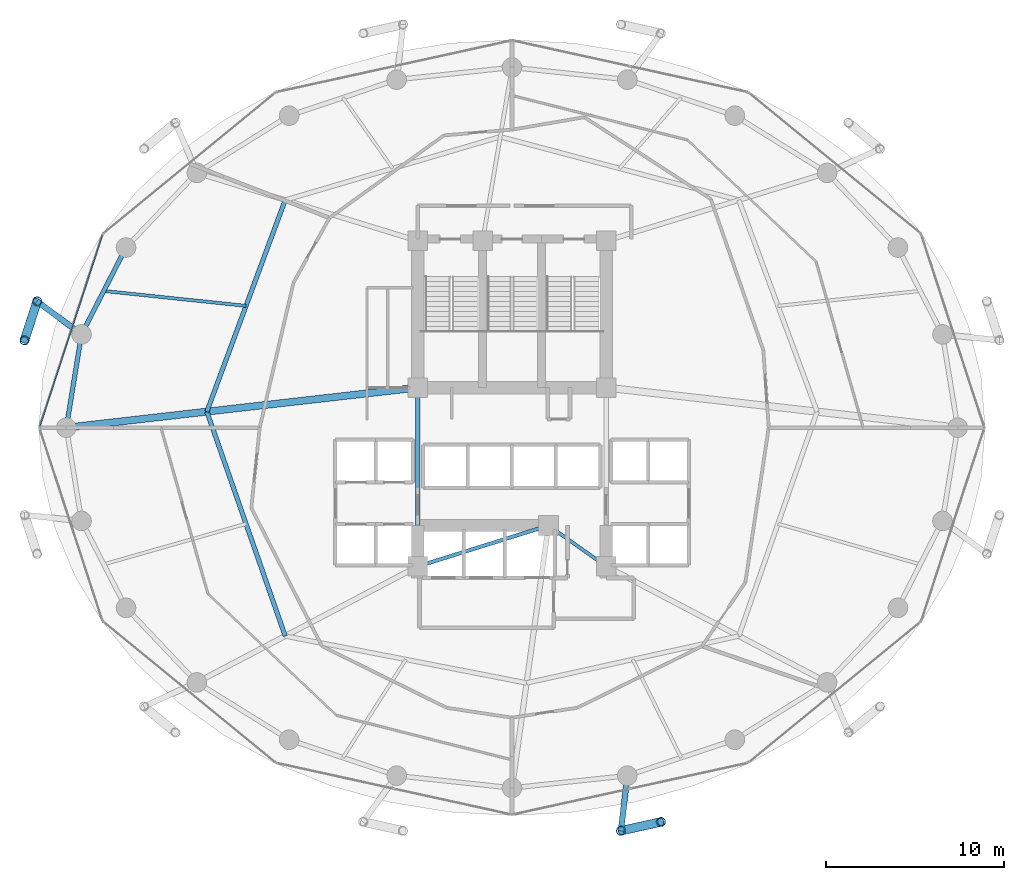
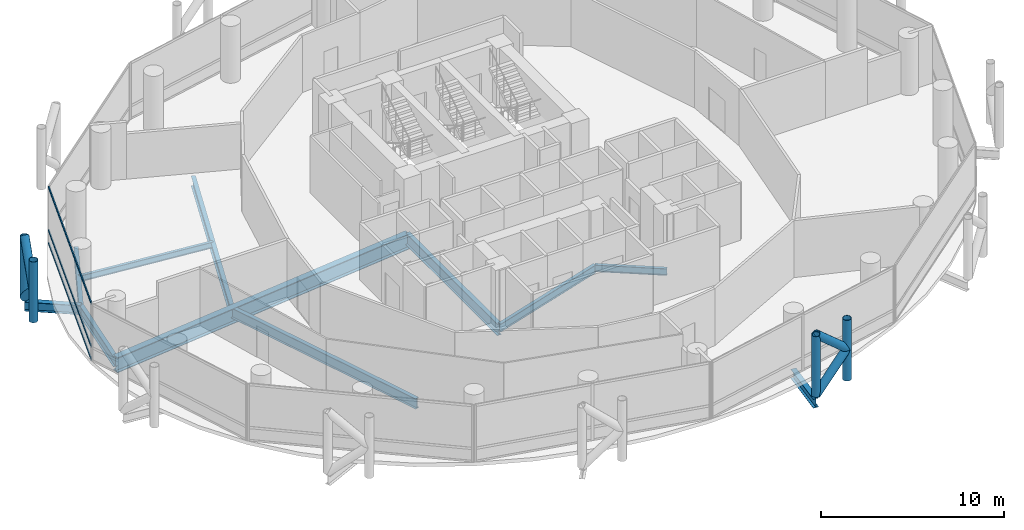
# One storey, part 7 of 24: 11 beams, 11 members, 1 element without a shape of its own.
"""IFC4 building model written with IfcOpenShell, lengths in metres."""

from ifc_helpers import new_model, si_unit, direction, frame, origin, origin_2d, place, context, subcontext, project, spatial, hollow_rectangle, hollow_circle, i_section, extrude, material, layer, layer_set, material_profile, profile_set, type_object, element, aggregate, save


model = new_model("IFC4")

# Units and contexts
model_context = context("Model", 3, precision=1e-05, world=origin(), true_north=direction((0.0, 1.0)))
body_context = subcontext(model_context, "Body", "Model", "MODEL_VIEW")
ifc_project = project(units=[si_unit("LENGTHUNIT", "METRE"), si_unit("AREAUNIT", "SQUARE_METRE"), si_unit("VOLUMEUNIT", "CUBIC_METRE"), si_unit("PLANEANGLEUNIT", "RADIAN"), si_unit("MASSUNIT", "GRAM", prefix="KILO")], contexts=[model_context])

# Site, building, storey
site_placement = place(None, origin())
site = spatial("IfcSite", under=ifc_project, at=site_placement, CompositionType="ELEMENT")
building_placement = place(site_placement, origin())
building = spatial("IfcBuilding", under=site, at=building_placement, Name="Nuhasar Tower", CompositionType="ELEMENT")
storey_placement = place(building_placement, frame((0.0, 0.0, 77.699951171875)))
storey = spatial("IfcBuildingStorey", under=building, at=storey_placement, Name="L18", CompositionType="ELEMENT", Elevation=77.699951171875)

# Beams
ifc_material_1 = material(Name="Steel S355", Category="steel")
ifc_material_profile_1 = material_profile(ifc_material_1, i_section(OverallWidth=0.25390625, OverallDepth=0.68408203125, WebThickness=0.012451171875, FlangeThickness=0.018798828125, at=origin_2d()), Name="W27X94")
ifc_profile_set_1 = profile_set([ifc_material_profile_1], Name="Steel S355")
beam_type_1 = type_object("IfcBeamType", Name="BM-INRING-W27X94", PredefinedType="BEAM", material=ifc_profile_set_1)
beam_1_placement = place(storey_placement, frame((26.251953125, 39.591064453125, -0.592041015625), z_axis=(-0.34715757476, -0.937806812881, 0.0), x_axis=(0.937806812881, -0.34715757476, 0.0)))
element("IfcBeam", 1, at=beam_1_placement, inside=storey, type_object=beam_type_1, Name="L18 Inner Header Beam 07", PredefinedType="BEAM", context=body_context, shape_type="SweptSolid", body=[
    extrude(i_section(OverallWidth=0.25390625, OverallDepth=0.68408203125, WebThickness=0.012451171875, FlangeThickness=0.018798828125, at=origin_2d()), origin(), (0.0, 0.0, 1.0), 12.6796875),
])
beam_2_placement = place(storey_placement, frame((21.85009765625, 27.699951171875, -0.592041015625), z_axis=(0.329554049858, -0.944136710558, 0.0), x_axis=(0.944136710558, 0.329554049858, 0.0)))
element("IfcBeam", 2, at=beam_2_placement, inside=storey, type_object=beam_type_1, Name="L18 Inner Header Beam 08", PredefinedType="BEAM", context=body_context, shape_type="SweptSolid", body=[
    extrude(i_section(OverallWidth=0.25390625, OverallDepth=0.68408203125, WebThickness=0.012451171875, FlangeThickness=0.018798828125, at=origin_2d()), origin(), (0.0, 0.0, 1.0), 13.35693359375),
])
ifc_material_profile_2 = material_profile(ifc_material_1, i_section(OverallWidth=0.177978515625, OverallDepth=0.406005859375, WebThickness=0.0078125, FlangeThickness=0.0126953125, at=origin_2d()), Name="W16X40")
ifc_profile_set_2 = profile_set([ifc_material_profile_2], Name="Steel S355")
beam_type_2 = type_object("IfcBeamType", Name="BM-JST-W16X40", PredefinedType="JOIST", material=ifc_profile_set_2)
beam_3_placement = place(storey_placement, frame((24.051025390625, 33.64501953125, -0.452880859375), z_axis=(-0.994554594377, 0.104216883485, 0.0), x_axis=(-0.104216883485, -0.994554594377, 0.0)))
element("IfcBeam", 3, at=beam_3_placement, inside=storey, type_object=beam_type_2, Name="L18 Secondary Floor Joist 07", PredefinedType="JOIST", context=body_context, shape_type="SweptSolid", body=[
    extrude(i_section(OverallWidth=0.177978515625, OverallDepth=0.406005859375, WebThickness=0.0078125, FlangeThickness=0.0126953125, at=origin_2d()), origin(), (0.0, 0.0, 1.0), 8.039794921875),
])
ifc_material_profile_3 = material_profile(ifc_material_1, i_section(OverallWidth=0.18994140625, OverallDepth=0.45703125, WebThickness=0.009033203125, FlangeThickness=0.014404296875, at=origin_2d()), Name="W18X50")
ifc_profile_set_3 = profile_set([ifc_material_profile_3], Name="Steel S355")
beam_type_3 = type_object("IfcBeamType", Name="BM-RAD-W18X50", PredefinedType="BEAM", material=ifc_profile_set_3)
beam_4_placement = place(storey_placement, frame((41.050048828125, 21.300048828125, -0.47802734375), z_axis=(0.816265428953, -0.577677028708, 0.0), x_axis=(0.577677028708, 0.816265428953, 0.0)))
element("IfcBeam", 4, at=beam_4_placement, inside=storey, type_object=beam_type_3, Name="L18 Core Ring Girder 2", PredefinedType="BEAM", context=body_context, shape_type="SweptSolid", body=[
    extrude(i_section(OverallWidth=0.18994140625, OverallDepth=0.45703125, WebThickness=0.009033203125, FlangeThickness=0.014404296875, at=origin_2d()), origin(), (0.0, 0.0, 1.0), 3.9814453125),
])
ifc_material_profile_4 = material_profile(ifc_material_1, i_section(OverallWidth=0.208984375, OverallDepth=0.532958984375, WebThickness=0.01025390625, FlangeThickness=0.015625, at=origin_2d()), Name="W21X62")
ifc_profile_set_4 = profile_set([ifc_material_profile_4], Name="Steel S355")
beam_type_4 = type_object("IfcBeamType", Name="BM-RAD-W21X62", PredefinedType="BEAM", material=ifc_profile_set_4)
beam_5_placement = place(storey_placement, frame((33.699951171875, 19.0, -0.515869140625), z_axis=(0.954363709454, 0.298646798205, 0.0), x_axis=(-0.298646798205, 0.954363709454, 0.0)))
element("IfcBeam", 5, at=beam_5_placement, inside=storey, type_object=beam_type_4, Name="L18 Core Ring Girder 1", PredefinedType="BEAM", context=body_context, shape_type="SweptSolid", body=[
    extrude(i_section(OverallWidth=0.208984375, OverallDepth=0.532958984375, WebThickness=0.01025390625, FlangeThickness=0.015625, at=origin_2d()), origin(), (0.0, 0.0, 1.0), 7.70166015625),
])
ifc_material_profile_5 = material_profile(ifc_material_1, i_section(OverallWidth=0.26611328125, OverallDepth=0.779052734375, WebThickness=0.0166015625, FlangeThickness=0.030029296875, at=origin_2d()), Name="W30X148")
ifc_profile_set_5 = profile_set([ifc_material_profile_5], Name="Steel S355")
beam_type_5 = type_object("IfcBeamType", Name="BM-RAD-W30X148", PredefinedType="BEAM", material=ifc_profile_set_5)
beam_6_placement = place(storey_placement, frame((33.699951171875, 29.050048828125, -0.638916015625), z_axis=(0.0, -1.0, 0.0), x_axis=(1.0, 0.0, 0.0)))
element("IfcBeam", 6, at=beam_6_placement, inside=storey, type_object=beam_type_5, Name="L18 Core Ring Girder 8", PredefinedType="BEAM", context=body_context, shape_type="SweptSolid", body=[
    extrude(i_section(OverallWidth=0.26611328125, OverallDepth=0.779052734375, WebThickness=0.0166015625, FlangeThickness=0.030029296875, at=origin_2d()), origin(), (0.0, 0.0, 1.0), 10.050048828125),
])
ifc_material_profile_6 = material_profile(ifc_material_1, i_section(OverallWidth=0.256103515625, OverallDepth=0.693115234375, WebThickness=0.014404296875, FlangeThickness=0.023681640625, at=origin_2d()), Name="W27X114")
ifc_profile_set_6 = profile_set([ifc_material_profile_6], Name="Steel S355")
beam_type_6 = type_object("IfcBeamType", Name="BM-RING-W27X114", PredefinedType="SPANDREL", material=ifc_profile_set_6)
beam_7_placement = place(storey_placement, frame((17.305908203125, 36.925048828125, -0.596923828125), z_axis=(-0.455930023905, -0.890015625314, 0.0), x_axis=(0.890015625314, -0.455930023905, 0.0)))
element("IfcBeam", 7, at=beam_7_placement, inside=storey, type_object=beam_type_6, Name="L18 Perimeter Ring Spandrel 11", PredefinedType="SPANDREL", context=body_context, shape_type="SweptSolid", body=[
    extrude(i_section(OverallWidth=0.256103515625, OverallDepth=0.693115234375, WebThickness=0.014404296875, FlangeThickness=0.023681640625, at=origin_2d()), origin(), (0.0, 0.0, 1.0), 5.487548828125),
])
beam_8_placement = place(storey_placement, frame((14.803955078125, 32.041015625, -0.596923828125), z_axis=(-0.160826635486, -0.986982671235, 0.0), x_axis=(0.986982671235, -0.160826635486, 0.0)))
element("IfcBeam", 8, at=beam_8_placement, inside=storey, type_object=beam_type_6, Name="L18 Perimeter Ring Spandrel 12", PredefinedType="SPANDREL", context=body_context, shape_type="SweptSolid", body=[
    extrude(i_section(OverallWidth=0.256103515625, OverallDepth=0.693115234375, WebThickness=0.014404296875, FlangeThickness=0.023681640625, at=origin_2d()), origin(), (0.0, 0.0, 1.0), 5.31005859375),
])
ifc_material_profile_7 = material_profile(ifc_material_1, i_section(OverallWidth=0.323974609375, OverallDepth=0.611083984375, WebThickness=0.0126953125, FlangeThickness=0.01904296875, at=origin_2d()), Name="W24X104")
ifc_profile_set_7 = profile_set([ifc_material_profile_7], Name="Steel S355")
beam_type_7 = type_object("IfcBeamType", Name="BM-TIE-W24X104", PredefinedType="BEAM", material=ifc_profile_set_7)
beam_9_placement = place(storey_placement, frame((14.803955078125, 32.041015625, -0.554931640625), z_axis=(-0.802151061326, 0.597121155892, 0.0), x_axis=(-0.597121155892, -0.802151061326, 0.0)))
element("IfcBeam", 9, at=beam_9_placement, inside=storey, type_object=beam_type_7, Name="L18 Exoskeleton Node Tie Beam 06", PredefinedType="BEAM", context=body_context, shape_type="SweptSolid", body=[
    extrude(i_section(OverallWidth=0.323974609375, OverallDepth=0.611083984375, WebThickness=0.0126953125, FlangeThickness=0.01904296875, at=origin_2d()), origin(), (0.0, 0.0, 1.0), 3.111328125),
])
beam_10_placement = place(storey_placement, frame((45.48291015625, 7.239990234375, -0.554931640625), z_axis=(-0.115042934281, -0.993360520291, 0.0), x_axis=(0.993360520291, -0.115042934281, 0.0)))
element("IfcBeam", 10, at=beam_10_placement, inside=storey, type_object=beam_type_7, Name="L18 Exoskeleton Node Tie Beam 10", PredefinedType="BEAM", context=body_context, shape_type="SweptSolid", body=[
    extrude(i_section(OverallWidth=0.323974609375, OverallDepth=0.611083984375, WebThickness=0.0126953125, FlangeThickness=0.01904296875, at=origin_2d()), origin(), (0.0, 0.0, 1.0), 3.11962890625),
])
ifc_material_2 = material(Name="Steel S460", Category="steel")
ifc_material_profile_8 = material_profile(ifc_material_2, i_section(OverallWidth=0.40087890625, OverallDepth=1.010009765625, WebThickness=0.023681640625, FlangeThickness=0.0419921875, at=origin_2d()), Name="W40X297")
ifc_profile_set_8 = profile_set([ifc_material_profile_8], Name="Steel S460")
beam_type_8 = type_object("IfcBeamType", Name="BM-XFER-W40X297", PredefinedType="USERDEFINED", material=ifc_profile_set_8)
beam_11_placement = place(storey_placement, frame((33.699951171875, 29.050048828125, -0.7548828125), z_axis=(-0.993573147212, -0.113191877531, 0.0), x_axis=(0.113191877531, -0.993573147212, 0.0)))
element("IfcBeam", 11, at=beam_11_placement, inside=storey, type_object=beam_type_8, Name="L18 Radial Floor Girder 08", ObjectType="GIRDER", PredefinedType="USERDEFINED", context=body_context, shape_type="SweptSolid", body=[
    extrude(i_section(OverallWidth=0.40087890625, OverallDepth=1.010009765625, WebThickness=0.023681640625, FlangeThickness=0.0419921875, at=origin_2d()), origin(), (0.0, 0.0, 1.0), 19.877685546875),
])

# Curtain wall, members
ifc_material_3 = material(Name="Aluminium 6063-T6", Category="aluminium")
ifc_layer = layer(ifc_material_3, 0.199951171875)
ifc_layer_set = layer_set([ifc_layer], Name="Aluminium 6063-T6")
curtain_wall_type = type_object("IfcCurtainWallType", Name="CW-Z1-OFF", PredefinedType="NOTDEFINED", material=ifc_layer_set)
curtain_wall_placement = place(storey_placement, origin())
curtain_wall = element("IfcCurtainWall", 12, at=curtain_wall_placement, inside=storey, type_object=curtain_wall_type, Name="L18 Unitised Curtain Wall 06", PredefinedType="NOTDEFINED")
ifc_material_profile_9 = material_profile(ifc_material_3, hollow_rectangle(XDim=0.06494140625, YDim=0.14990234375, WallThickness=0.00439453125, at=origin_2d()), Name="CWT-2")
ifc_profile_set_9 = profile_set([ifc_material_profile_9], Name="Aluminium 6063-T6")
member_type_1 = type_object("IfcMemberType", Name="CW-TRN-S2", PredefinedType="USERDEFINED", material=ifc_profile_set_9)
member_1_placement = place(storey_placement, frame((15.977783203125, 37.6181640625, 0.032470703125), z_axis=(-0.31082506089, -0.950467138581, 0.0), x_axis=(0.950467138581, -0.31082506089, 0.0)))
member_1 = element("IfcMember", 13, at=member_1_placement, type_object=member_type_1, Name="CW-Z1 transom 1.1", ObjectType="TRANSOM", PredefinedType="USERDEFINED", context=body_context, shape_type="SweptSolid", body=[
    extrude(hollow_rectangle(XDim=0.06494140625, YDim=0.14990234375, WallThickness=0.00439453125, at=origin_2d()), origin(), (0.0, 0.0, 1.0), 11.31689453125),
])
member_2_placement = place(storey_placement, frame((15.977783203125, 37.6181640625, 0.900146484375), z_axis=(-0.31082506089, -0.950467138581, 0.0), x_axis=(0.950467138581, -0.31082506089, 0.0)))
member_2 = element("IfcMember", 14, at=member_2_placement, type_object=member_type_1, Name="CW-Z1 transom 1.2", ObjectType="TRANSOM", PredefinedType="USERDEFINED", context=body_context, shape_type="SweptSolid", body=[
    extrude(hollow_rectangle(XDim=0.06494140625, YDim=0.14990234375, WallThickness=0.00439453125, at=origin_2d()), origin(), (0.0, 0.0, 1.0), 11.31689453125),
])
member_3_placement = place(storey_placement, frame((15.977783203125, 37.6181640625, 3.767578125), z_axis=(-0.31082506089, -0.950467138581, 0.0), x_axis=(0.950467138581, -0.31082506089, 0.0)))
member_3 = element("IfcMember", 15, at=member_3_placement, type_object=member_type_1, Name="CW-Z1 transom 1.3", ObjectType="TRANSOM", PredefinedType="USERDEFINED", context=body_context, shape_type="SweptSolid", body=[
    extrude(hollow_rectangle(XDim=0.06494140625, YDim=0.14990234375, WallThickness=0.00439453125, at=origin_2d()), origin(), (0.0, 0.0, 1.0), 11.31689453125),
])
aggregate(curtain_wall, [member_1, member_2, member_3])

# Members
ifc_material_profile_10 = material_profile(ifc_material_2, hollow_circle(Radius=0.25390625, WallThickness=0.025390625, at=origin_2d()), Name="HSS508X25.4")
ifc_profile_set_10 = profile_set([ifc_material_profile_10], Name="Steel S460")
member_type_2 = type_object("IfcMemberType", Name="EXO-BRONZE-508", PredefinedType="BRACE", material=ifc_profile_set_10)
for number, where, z_axis, x_axis, name in (
    (16, (12.30810546875, 33.89892578125, 0.0), (0.0, 0.0, 1.0), (1.0, 0.0, 0.0), "L18 Exoskeleton Chord Column EC-06A"),
    (17, (11.60009765625, 31.7099609375, 0.0), (0.0, 0.0, 1.0), (1.0, 0.0, 0.0), "L18 Exoskeleton Chord Column EC-06B"),
    (18, (45.1240234375, 4.14111328125, 0.0), (0.0, 0.0, 1.0), (1.0, 0.0, 0.0), "L18 Exoskeleton Chord Column EC-10A"),
    (19, (47.3701171875, 4.639892578125, 0.0), (0.0, 0.0, 1.0), (1.0, 0.0, 0.0), "L18 Exoskeleton Chord Column EC-10B"),
):
    element("IfcMember", number, at=place(storey_placement, frame(where, z_axis=z_axis, x_axis=x_axis)), inside=storey, type_object=member_type_2, Name=name, PredefinedType="BRACE", context=body_context, shape_type="SweptSolid", body=[
        extrude(hollow_circle(Radius=0.25390625, WallThickness=0.025390625, at=origin_2d()), origin(), (0.0, 0.0, 1.0), 4.050048828125),
    ])
member_4_placement = place(storey_placement, frame((12.30810546875, 33.89892578125, 0.0), z_axis=(-0.230999678299, -0.714187281251, 0.660738734997), x_axis=(0.951468282519, -0.307746823478, 0.0)))
element("IfcMember", 20, at=member_4_placement, inside=storey, type_object=member_type_2, Name="L18 Bronze Diagrid Brace W1-06", PredefinedType="BRACE", context=body_context, shape_type="SweptSolid", body=[
    extrude(hollow_circle(Radius=0.25390625, WallThickness=0.025390625, at=origin_2d()), origin(), (0.0, 0.0, 1.0), 3.06494140625),
])
member_5_placement = place(storey_placement, frame((11.60009765625, 31.7099609375, 2.025146484375), z_axis=(0.231011836313, 0.714224870475, 0.660693851854), x_axis=(-0.951468282519, 0.307746823478, 0.0)))
element("IfcMember", 21, at=member_5_placement, inside=storey, type_object=member_type_2, Name="L18 Bronze Diagrid Brace W2-06", PredefinedType="BRACE", context=body_context, shape_type="SweptSolid", body=[
    extrude(hollow_circle(Radius=0.25390625, WallThickness=0.025390625, at=origin_2d()), origin(), (0.0, 0.0, 1.0), 3.064697265625),
])
member_6_placement = place(storey_placement, frame((45.1240234375, 4.14111328125, 0.0), z_axis=(0.732792408767, 0.162727705556, 0.660707938122), x_axis=(-0.216784396973, 0.976219506683, 0.0)))
element("IfcMember", 22, at=member_6_placement, inside=storey, type_object=member_type_2, Name="L18 Bronze Diagrid Brace W1-10", PredefinedType="BRACE", context=body_context, shape_type="SweptSolid", body=[
    extrude(hollow_circle(Radius=0.25390625, WallThickness=0.025390625, at=origin_2d()), origin(), (0.0, 0.0, 1.0), 3.065185546875),
])
member_7_placement = place(storey_placement, frame((47.3701171875, 4.639892578125, 2.025146484375), z_axis=(-0.732830973624, -0.162736269469, 0.66066305383), x_axis=(0.216784396973, -0.976219506683, 0.0)))
element("IfcMember", 23, at=member_7_placement, inside=storey, type_object=member_type_2, Name="L18 Bronze Diagrid Brace W2-10", PredefinedType="BRACE", context=body_context, shape_type="SweptSolid", body=[
    extrude(hollow_circle(Radius=0.25390625, WallThickness=0.025390625, at=origin_2d()), origin(), (0.0, 0.0, 1.0), 3.06494140625),
])

save(model, "model.ifc")
